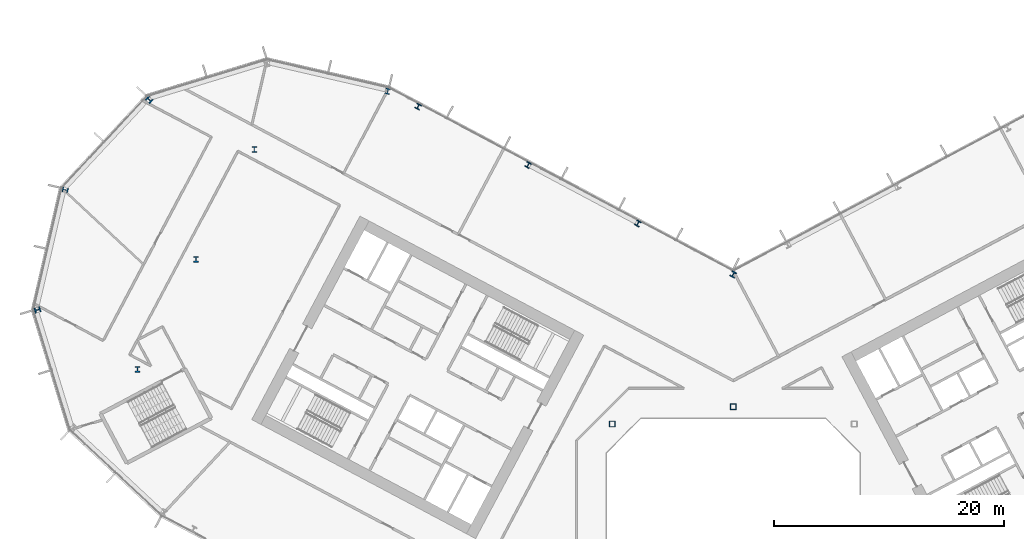
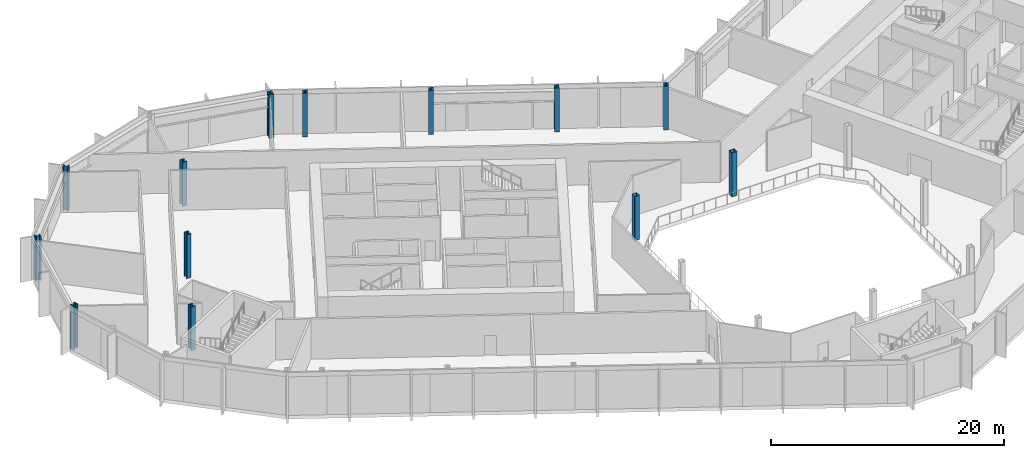
# One storey, part 2 of 31: 13 columns.
"""IFC4 building model written with IfcOpenShell, lengths in metres."""

from ifc_helpers import new_model, si_unit, direction, frame, origin, origin_2d, place, context, subcontext, project, spatial, hollow_rectangle, i_section, extrude, material, material_profile, profile_set, type_object, element, save


model = new_model("IFC4")

# Units and contexts
model_context = context("Model", 3, precision=1e-05, world=origin(), true_north=direction((0.0, 1.0)))
body_context = subcontext(model_context, "Body", "Model", "MODEL_VIEW")
ifc_project = project(units=[si_unit("LENGTHUNIT", "METRE"), si_unit("AREAUNIT", "SQUARE_METRE"), si_unit("VOLUMEUNIT", "CUBIC_METRE"), si_unit("PLANEANGLEUNIT", "RADIAN"), si_unit("MASSUNIT", "GRAM", prefix="KILO")], contexts=[model_context])

# Site, building, storey
site_placement = place(None, origin())
site = spatial("IfcSite", under=ifc_project, at=site_placement, CompositionType="ELEMENT")
building_placement = place(site_placement, origin())
building = spatial("IfcBuilding", under=site, at=building_placement, Name="Cormorant Relay Tower", CompositionType="ELEMENT")
storey_placement = place(building_placement, frame((0.0, 0.0, 98.39990234375)))
storey = spatial("IfcBuildingStorey", under=building, at=storey_placement, Name="L19", CompositionType="ELEMENT", Elevation=98.39990234375)

# Columns
ifc_material_1 = material(Name="Steel ASTM A500 Grade C (Fy 345 MPa)", Category="steel")
ifc_material_profile_1 = material_profile(ifc_material_1, hollow_rectangle(XDim=0.508056640625, YDim=0.508056640625, WallThickness=0.020751953125, InnerFilletRadius=0.01025390625, OuterFilletRadius=0.031005859375, at=origin_2d()), Name="HSS508x508x21")
ifc_profile_set_1 = profile_set([ifc_material_profile_1], Name="Steel ASTM A500 Grade C (Fy 345 MPa)")
column_type_1 = type_object("IfcColumnType", Name="Column HSS508x508x21", PredefinedType="COLUMN", material=ifc_profile_set_1)
for number, where, z_axis, x_axis, name in (
    (1, (-10.5, 10.5, 0.0), (0.0, 0.0, 1.0), (1.0, 0.0, 0.0), "Column L19-022"),
    (2, (0.0, 12.0, 0.0), (0.0, 0.0, 1.0), (1.0, 0.0, 0.0), "Column L19-024"),
):
    element("IfcColumn", number, at=place(storey_placement, frame(where, z_axis=z_axis, x_axis=x_axis)), inside=storey, type_object=column_type_1, Name=name, PredefinedType="COLUMN", context=body_context, shape_type="SweptSolid", body=[
        extrude(hollow_rectangle(XDim=0.508056640625, YDim=0.508056640625, WallThickness=0.020751953125, InnerFilletRadius=0.01025390625, OuterFilletRadius=0.031005859375, at=origin_2d()), origin(), (0.0, 0.0, 1.0), 4.60009765625),
    ])
ifc_material_2 = material(Name="Steel ASTM A992 (Fy 345 MPa)", Category="steel")
ifc_material_profile_2 = material_profile(ifc_material_2, i_section(OverallWidth=0.42431640625, OverallDepth=0.47509765625, WebThickness=0.0478515625, FlangeThickness=0.0771484375, FilletRadius=0.014892578125, at=origin_2d()), Name="W360x634")
ifc_profile_set_2 = profile_set([ifc_material_profile_2], Name="Steel ASTM A992 (Fy 345 MPa)")
column_type_2 = type_object("IfcColumnType", Name="Column W360x634", PredefinedType="COLUMN", material=ifc_profile_set_2)
for number, where, z_axis, x_axis, name in (
    (3, (-8.26611328125, 27.906982421875, 0.0), (0.0, 0.0, 1.0), (-0.882947592859, 0.469471562786, 0.0), "Column L19-036"),
    (4, (-17.802001953125, 32.97802734375, 0.0), (0.0, 0.0, 1.0), (-0.882947592859, 0.469471562786, 0.0), "Column L19-041"),
    (5, (-27.337890625, 38.048095703125, 0.0), (0.0, 0.0, 1.0), (-0.882947592859, 0.469471562786, 0.0), "Column L19-046"),
):
    element("IfcColumn", number, at=place(storey_placement, frame(where, z_axis=z_axis, x_axis=x_axis)), inside=storey, type_object=column_type_2, Name=name, PredefinedType="COLUMN", context=body_context, shape_type="SweptSolid", body=[
        extrude(i_section(OverallWidth=0.42431640625, OverallDepth=0.47509765625, WebThickness=0.0478515625, FlangeThickness=0.0771484375, FilletRadius=0.014892578125, at=origin_2d()), origin(), (0.0, 0.0, 1.0), 4.60009765625),
    ])
ifc_material_3 = material(Name="Steel ASTM A992 (Fy 345 MPa)", Category="steel")
ifc_material_profile_3 = material_profile(ifc_material_3, i_section(OverallWidth=0.43701171875, OverallDepth=0.51318359375, WebThickness=0.060546875, FlangeThickness=0.096923828125, FilletRadius=0.015380859375, at=origin_2d()), Name="W360x818")
ifc_profile_set_3 = profile_set([ifc_material_profile_3], Name="Steel ASTM A992 (Fy 345 MPa)")
column_type_3 = type_object("IfcColumnType", Name="Column W360x818", PredefinedType="COLUMN", material=ifc_profile_set_3)
for number, where, z_axis, x_axis, name in (
    (6, (-51.68994140625, 15.251953125, 0.0), (0.0, 0.0, 1.0), (1.0, 0.0, 0.0), "Column L19-027"),
    (7, (-60.3701171875, 20.406005859375, 0.0), (0.0, 0.0, 1.0), (0.292371704723, -0.956304755963, 0.0), "Column L19-030"),
    (8, (0.0, 23.48388671875, 0.0), (0.0, 0.0, 1.0), (-0.882947592859, 0.469471562786, 0.0), "Column L19-032"),
    (9, (-46.6201171875, 24.7880859375, 0.0), (0.0, 0.0, 1.0), (1.0, 0.0, 0.0), "Column L19-034"),
    (10, (-57.966064453125, 30.821044921875, 0.0), (0.0, 0.0, 1.0), (-0.224951054344, -0.974370064785, 0.0), "Column L19-038"),
    (11, (-41.549072265625, 34.323974609375, 0.0), (0.0, 0.0, 1.0), (1.0, 0.0, 0.0), "Column L19-043"),
    (12, (-50.675048828125, 38.637939453125, 0.0), (0.0, 0.0, 1.0), (-0.681998360062, -0.731353701619, 0.0), "Column L19-047"),
    (13, (-29.98193359375, 39.3779296875, 0.0), (0.0, 0.0, 1.0), (-0.974370064785, 0.224951054344, 0.0), "Column L19-048"),
):
    element("IfcColumn", number, at=place(storey_placement, frame(where, z_axis=z_axis, x_axis=x_axis)), inside=storey, type_object=column_type_3, Name=name, PredefinedType="COLUMN", context=body_context, shape_type="SweptSolid", body=[
        extrude(i_section(OverallWidth=0.43701171875, OverallDepth=0.51318359375, WebThickness=0.060546875, FlangeThickness=0.096923828125, FilletRadius=0.015380859375, at=origin_2d()), origin(), (0.0, 0.0, 1.0), 4.60009765625),
    ])

save(model, "model.ifc")
